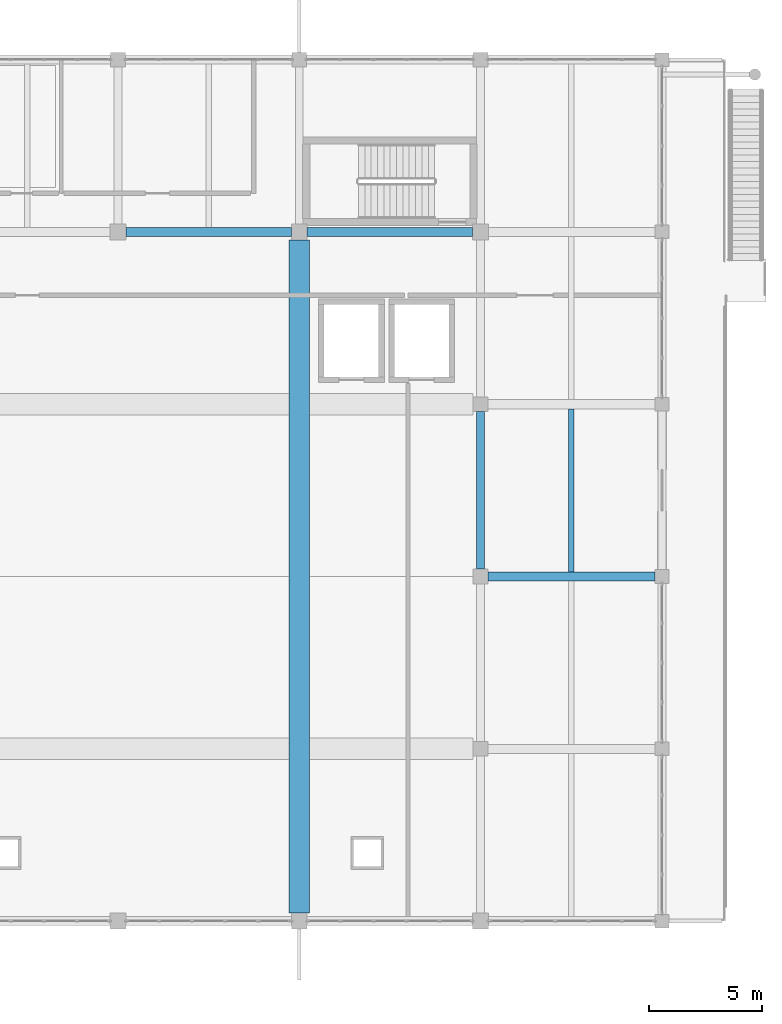
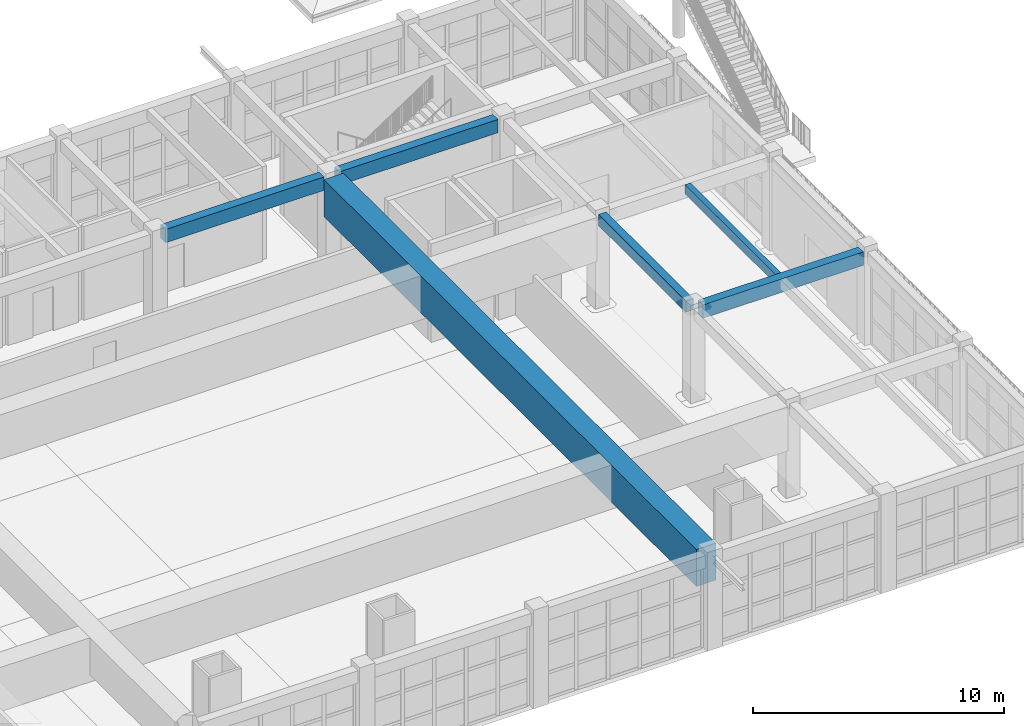
# One storey, part 23 of 50: 6 beams.
"""IFC4 building model written with IfcOpenShell, lengths in metres."""

from ifc_helpers import new_model, si_unit, direction, frame, origin, origin_2d, place, context, subcontext, project, spatial, rectangle, extrude, material, material_profile, profile_set, type_object, element, save


model = new_model("IFC4")

# Units and contexts
model_context = context("Model", 3, precision=1e-05, world=origin(), true_north=direction((0.0, 1.0)))
body_context = subcontext(model_context, "Body", "Model", "MODEL_VIEW")
ifc_project = project(units=[si_unit("LENGTHUNIT", "METRE"), si_unit("AREAUNIT", "SQUARE_METRE"), si_unit("VOLUMEUNIT", "CUBIC_METRE"), si_unit("PLANEANGLEUNIT", "RADIAN"), si_unit("MASSUNIT", "GRAM", prefix="KILO")], contexts=[model_context])

# Site, building, storey
site_placement = place(None, origin())
site = spatial("IfcSite", under=ifc_project, at=site_placement, CompositionType="ELEMENT")
building_placement = place(site_placement, origin())
building = spatial("IfcBuilding", under=site, at=building_placement, Name="Zantavel Square City Hall", CompositionType="ELEMENT")
storey_placement = place(building_placement, frame((0.0, 0.0, 18.89990234375)))
storey = spatial("IfcBuildingStorey", under=building, at=storey_placement, Name="L05", CompositionType="ELEMENT", Elevation=18.89990234375)

# Beams
ifc_material_1 = material(Name="Concrete C35/45", Category="concrete")
ifc_material_profile_1 = material_profile(ifc_material_1, rectangle(XDim=0.39990234375, YDim=0.64990234375, at=origin_2d()), Name="RC 400x650")
ifc_profile_set_1 = profile_set([ifc_material_profile_1], Name="Concrete C35/45")
beam_type_1 = type_object("IfcBeamType", Name="Frame Beam RC 400x650 C35/45", PredefinedType="BEAM", material=ifc_profile_set_1)
for number, where, z_axis, x_axis, name in (
    (1, (88.35009765625, 60.800048828125, 4.2451171875), (1.0, 0.0, 0.0), (0.0, 1.0, 0.0), "L05 Girder BMX-L05-0880-0608"),
    (2, (96.35009765625, 60.800048828125, 4.2451171875), (1.0, 0.0, 0.0), (0.0, 1.0, 0.0), "L05 Girder BMX-L05-0960-0608"),
):
    element("IfcBeam", number, at=place(storey_placement, frame(where, z_axis=z_axis, x_axis=x_axis)), inside=storey, type_object=beam_type_1, Name=name, PredefinedType="BEAM", context=body_context, shape_type="SweptSolid", body=[
        extrude(rectangle(XDim=0.39990234375, YDim=0.64990234375, at=origin_2d()), origin(), (0.0, 0.0, 1.0), 7.2998046875),
    ])
beam_1_placement = place(storey_placement, frame((104.324951171875, 45.60009765625, 4.195068359375), z_axis=(1.0, 0.0, 0.0), x_axis=(0.0, 1.0, 0.0)))
element("IfcBeam", 3, at=beam_1_placement, inside=storey, type_object=beam_type_1, Name="L05 Girder BMX-L05-1040-0456", PredefinedType="BEAM", context=body_context, shape_type="SweptSolid", body=[
    extrude(rectangle(XDim=0.39990234375, YDim=0.64990234375, at=origin_2d()), origin(), (0.0, 0.0, 1.0), 7.375),
])
ifc_material_profile_2 = material_profile(ifc_material_1, rectangle(XDim=0.25, YDim=0.449951171875, at=origin_2d()), Name="RC 250x450")
ifc_profile_set_2 = profile_set([ifc_material_profile_2], Name="Concrete C35/45")
beam_type_2 = type_object("IfcBeamType", Name="Light Floor Joist RC 250x450 C35/45", PredefinedType="JOIST", material=ifc_profile_set_2)
beam_2_placement = place(storey_placement, frame((108.0, 45.800048828125, 4.295166015625), z_axis=(0.0, 1.0, 0.0), x_axis=(-1.0, 0.0, 0.0)))
element("IfcBeam", 4, at=beam_2_placement, inside=storey, type_object=beam_type_2, Name="L05 Floor Joist JST-L05-1080-0456", PredefinedType="JOIST", context=body_context, shape_type="SweptSolid", body=[
    extrude(rectangle(XDim=0.25, YDim=0.449951171875, at=origin_2d()), origin(), (0.0, 0.0, 1.0), 7.199951171875),
])
ifc_material_profile_3 = material_profile(ifc_material_1, rectangle(XDim=0.35009765625, YDim=0.550048828125, at=origin_2d()), Name="RC 350x550")
ifc_profile_set_3 = profile_set([ifc_material_profile_3], Name="Concrete C35/45")
beam_type_3 = type_object("IfcBeamType", Name="Secondary Beam RC 350x550 C35/45", PredefinedType="BEAM", material=ifc_profile_set_3)
beam_3_placement = place(storey_placement, frame((104.0, 45.925048828125, 4.295166015625), z_axis=(0.0, 1.0, 0.0), x_axis=(-1.0, 0.0, 0.0)))
element("IfcBeam", 5, at=beam_3_placement, inside=storey, type_object=beam_type_3, Name="L05 Beam BMY-L05-1040-0456", PredefinedType="BEAM", context=body_context, shape_type="SweptSolid", body=[
    extrude(rectangle(XDim=0.35009765625, YDim=0.550048828125, at=origin_2d()), origin(), (0.0, 0.0, 1.0), 6.949951171875),
])
ifc_material_2 = material(Name="Concrete C40/50", Category="concrete")
ifc_material_profile_4 = material_profile(ifc_material_2, rectangle(XDim=0.89990234375, YDim=1.800048828125, at=origin_2d()), Name="RC 900x1800")
ifc_profile_set_4 = profile_set([ifc_material_profile_4], Name="Concrete C40/50")
beam_type_4 = type_object("IfcBeamType", Name="Transfer Girder RC 900x1800 C40/50", PredefinedType="BEAM", material=ifc_profile_set_4)
beam_4_placement = place(storey_placement, frame((96.0, 30.75, 3.670166015625), z_axis=(0.0, 1.0, 0.0), x_axis=(-1.0, 0.0, 0.0)))
element("IfcBeam", 6, at=beam_4_placement, inside=storey, type_object=beam_type_4, Name="L06 Public Gallery Ring Girder GAL-NS-E", PredefinedType="BEAM", context=body_context, shape_type="SweptSolid", body=[
    extrude(rectangle(XDim=0.89990234375, YDim=1.800048828125, at=origin_2d()), origin(), (0.0, 0.0, 1.0), 29.699951171875),
])

save(model, "model.ifc")
